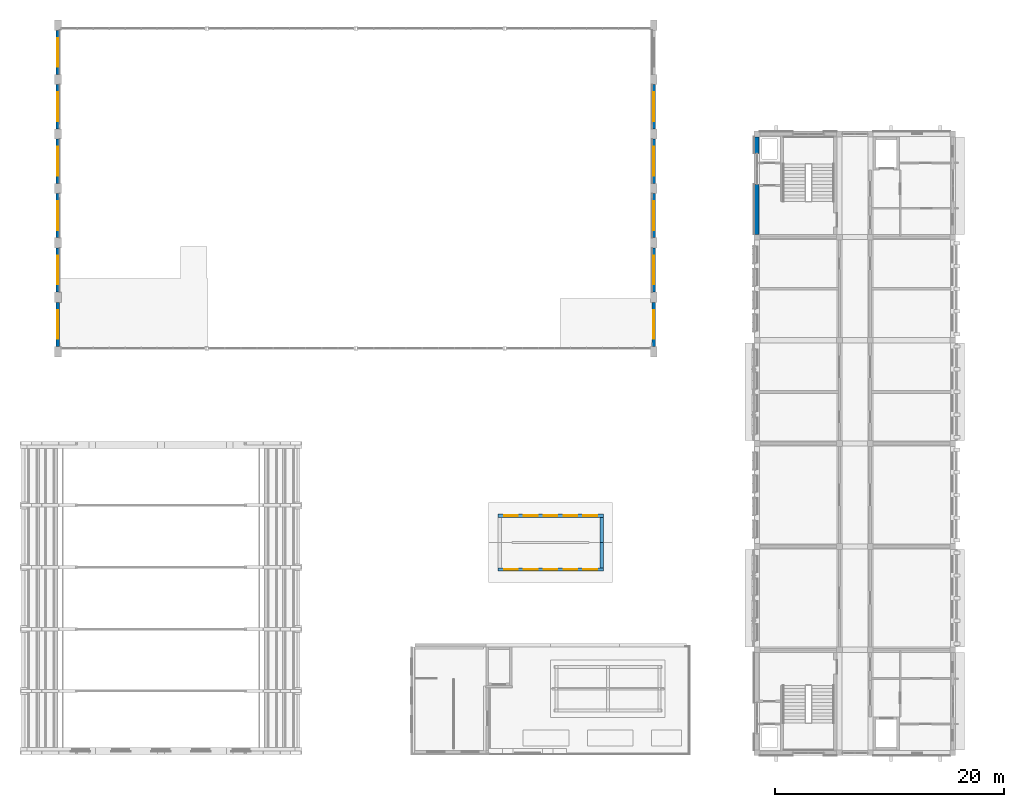
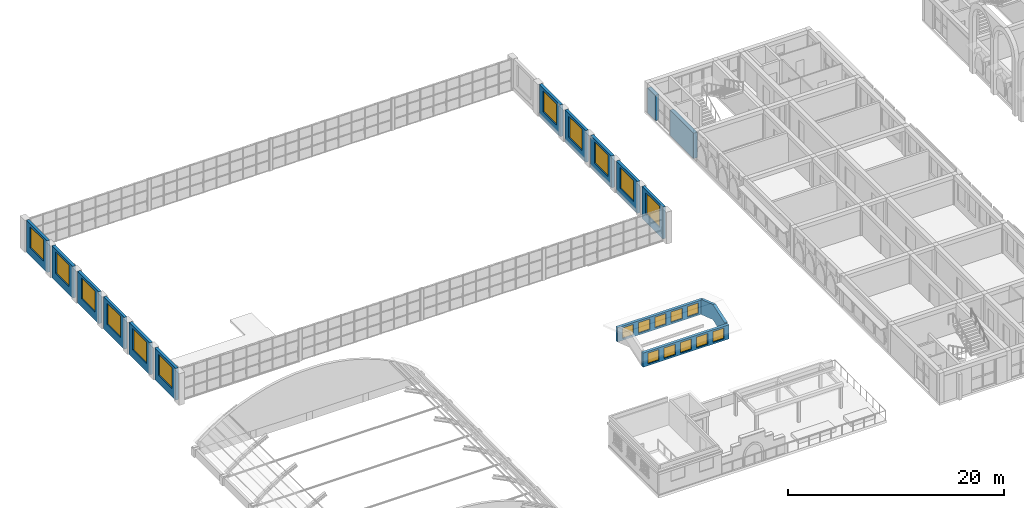
# One storey, part 34 of 70: 21 windows, 16 walls, 21 openings.
"""IFC4 building model written with IfcOpenShell, lengths in metres."""

from ifc_helpers import new_model, si_unit, direction, frame, frame_2d, origin, place, context, subcontext, project, spatial, polyline, rectangle, outline, extrude, material, layer, layer_set, material_profile, profile_set, type_object, element, fill, save


model = new_model("IFC4")

# Units and contexts
model_context = context("Model", 3, precision=1e-05, world=origin(), true_north=direction((0.0, 1.0)))
body_context = subcontext(model_context, "Body", "Model", "MODEL_VIEW")
ifc_project = project(units=[si_unit("LENGTHUNIT", "METRE"), si_unit("AREAUNIT", "SQUARE_METRE"), si_unit("VOLUMEUNIT", "CUBIC_METRE"), si_unit("PLANEANGLEUNIT", "RADIAN"), si_unit("MASSUNIT", "GRAM", prefix="KILO")], contexts=[model_context])

# Site, building, storey
site_placement = place(None, origin())
site = spatial("IfcSite", under=ifc_project, at=site_placement, CompositionType="ELEMENT")
building_placement = place(site_placement, origin())
building = spatial("IfcBuilding", under=site, at=building_placement, Name="Elbe Cascade School", CompositionType="ELEMENT")
storey_placement = place(building_placement, frame((0.0, 0.0, 8.10009765625)))
storey = spatial("IfcBuildingStorey", under=building, at=storey_placement, Name="L02", CompositionType="ELEMENT", Elevation=8.10009765625)

# Walls
ifc_material_1 = material(Name="Brick masonry - red clinker, solid, sandstone-faced", Category="masonry")
ifc_layer_1 = layer(ifc_material_1, 0.39990234375)
ifc_layer_set_1 = layer_set([ifc_layer_1], Name="Brick masonry - red clinker, solid, sandstone-faced")
wall_type_1 = type_object("IfcWallType", Name="Bars envelope External wall - solid masonry core strip, sandstone faced, 400", PredefinedType="STANDARD", material=ifc_layer_set_1)
wall_1_placement = place(storey_placement, frame((68.97998046875, 51.25, 0.0), z_axis=(0.0, 0.0, 1.0), x_axis=(0.0, 1.0, 0.0)))
element("IfcWall", 1, at=wall_1_placement, inside=storey, type_object=wall_type_1, Name="External wall W31 A.L02.w6a", PredefinedType="STANDARD", context=body_context, shape_type="SweptSolid", body=[
    extrude(rectangle(XDim=4.360107421875, YDim=0.39990234375, at=frame_2d((2.18017578125, 0.0))), origin(), (0.0, 0.0, 1.0), 2.849853515625),
])
wall_2_placement = place(storey_placement, frame((68.97998046875, 58.31005859375, 0.0), z_axis=(0.0, 0.0, 1.0), x_axis=(0.0, 1.0, 0.0)))
element("IfcWall", 2, at=wall_2_placement, inside=storey, type_object=wall_type_1, Name="External wall W31 A.L02.w6b", PredefinedType="STANDARD", context=body_context, shape_type="SweptSolid", body=[
    extrude(rectangle(XDim=1.43994140625, YDim=0.39990234375, at=frame_2d((0.719970703125, 0.0))), origin(), (0.0, 0.0, 1.0), 2.849853515625),
])
ifc_material_2 = material(Name="Brick masonry - red clinker", Category="masonry")
ifc_material_profile = material_profile(ifc_material_2, outline(polyline([(-2.199951171875, 10.21826171875), (0.0, 10.96826171875), (2.199951171875, 10.21826171875), (2.199951171875, 11.920654296875), (0.0, 12.670654296875), (-2.199951171875, 11.920654296875), (-2.199951171875, 10.21826171875)])), Name="Dining lantern gable face")
ifc_profile_set = profile_set([ifc_material_profile], Name="Brick masonry - red clinker")
wall_type_2 = type_object("IfcWallType", Name="Dining lantern end wall 300", PredefinedType="SOLIDWALL", material=ifc_profile_set)
wall_3_placement = place(storey_placement, frame((55.300048828125, 24.35009765625, -8.10009765625), z_axis=(1.0, 0.0, 0.0), x_axis=(0.0, 1.0, 0.0)))
element("IfcWall", 3, at=wall_3_placement, inside=storey, type_object=wall_type_2, Name="Dining clerestory gable", PredefinedType="SOLIDWALL", context=body_context, shape_type="SweptSolid", body=[
    extrude(outline(polyline([(-2.199951171875, 10.21826171875), (0.0, 10.96826171875), (2.199951171875, 10.21826171875), (2.199951171875, 11.920654296875), (0.0, 12.670654296875), (-2.199951171875, 11.920654296875), (-2.199951171875, 10.21826171875)])), origin(), (0.0, 0.0, 1.0), 0.300048828125),
])

# Wall, openings, windows
ifc_material_3 = material(Name="Brick masonry - red clinker", Category="masonry")
ifc_layer_2 = layer(ifc_material_3, 0.300048828125)
ifc_layer_set_2 = layer_set([ifc_layer_2], Name="Brick masonry - red clinker")
wall_type_3 = type_object("IfcWallType", Name="Dining lantern wall 300", PredefinedType="SOLIDWALL", material=ifc_layer_set_2)
wall_4_placement = place(storey_placement, frame((55.60009765625, 22.0, 2.1181640625), z_axis=(0.0, 0.0, 1.0), x_axis=(-1.0, 0.0, 0.0)))
wall_4 = element("IfcWall", 4, at=wall_4_placement, inside=storey, type_object=wall_type_3, Name="Dining lantern wall 300 W14", PredefinedType="SOLIDWALL", context=body_context, shape_type="SweptSolid", body=[
    extrude(rectangle(XDim=9.2001953125, YDim=0.300048828125, at=frame_2d((4.60009765625, 0.0))), origin(), (0.0, 0.0, 1.0), 1.60009765625),
])
opening_1_placement = place(wall_4_placement, frame((7.466796875, 0.0, 0.199951171875)))
opening_1 = element("IfcOpeningElement", 5, at=opening_1_placement, cuts=wall_4, Name="Opening W2.142", PredefinedType="OPENING", context=body_context, shape_type="SweptSolid", body=[
    extrude(rectangle(XDim=1.199951171875, YDim=1.199951171875, at=frame_2d((0.60009765625, 0.60009765625))), frame((0.0, 0.159912109375, 0.0), z_axis=(0.0, -1.0, 0.0), x_axis=(1.0, 0.0, 0.0)), (0.0, 0.0, 1.0), 0.320068359375),
])
opening_2_placement = place(wall_4_placement, frame((5.7333984375, 0.0, 0.199951171875)))
opening_2 = element("IfcOpeningElement", 6, at=opening_2_placement, cuts=wall_4, Name="Opening W2.143", PredefinedType="OPENING", context=body_context, shape_type="SweptSolid", body=[
    extrude(rectangle(XDim=1.199951171875, YDim=1.199951171875, at=frame_2d((0.60009765625, 0.60009765625))), frame((0.0, 0.159912109375, 0.0), z_axis=(0.0, -1.0, 0.0), x_axis=(1.0, 0.0, 0.0)), (0.0, 0.0, 1.0), 0.320068359375),
])
opening_3_placement = place(wall_4_placement, frame((4.0, 0.0, 0.199951171875)))
opening_3 = element("IfcOpeningElement", 7, at=opening_3_placement, cuts=wall_4, Name="Opening W2.144", PredefinedType="OPENING", context=body_context, shape_type="SweptSolid", body=[
    extrude(rectangle(XDim=1.199951171875, YDim=1.199951171875, at=frame_2d((0.60009765625, 0.60009765625))), frame((0.0, 0.159912109375, 0.0), z_axis=(0.0, -1.0, 0.0), x_axis=(1.0, 0.0, 0.0)), (0.0, 0.0, 1.0), 0.320068359375),
])
opening_4_placement = place(wall_4_placement, frame((2.2666015625, 0.0, 0.199951171875)))
opening_4 = element("IfcOpeningElement", 8, at=opening_4_placement, cuts=wall_4, Name="Opening W2.145", PredefinedType="OPENING", context=body_context, shape_type="SweptSolid", body=[
    extrude(rectangle(XDim=1.199951171875, YDim=1.199951171875, at=frame_2d((0.60009765625, 0.60009765625))), frame((0.0, 0.159912109375, 0.0), z_axis=(0.0, -1.0, 0.0), x_axis=(1.0, 0.0, 0.0)), (0.0, 0.0, 1.0), 0.320068359375),
])
opening_5_placement = place(wall_4_placement, frame((0.533203125, 0.0, 0.199951171875)))
opening_5 = element("IfcOpeningElement", 9, at=opening_5_placement, cuts=wall_4, Name="Opening W2.146", PredefinedType="OPENING", context=body_context, shape_type="SweptSolid", body=[
    extrude(rectangle(XDim=1.199951171875, YDim=1.199951171875, at=frame_2d((0.60009765625, 0.60009765625))), frame((0.0, 0.159912109375, 0.0), z_axis=(0.0, -1.0, 0.0), x_axis=(1.0, 0.0, 0.0)), (0.0, 0.0, 1.0), 0.320068359375),
])
ifc_material_4 = material(Name="Aluminium - bronze anodised", Category="aluminium")
window_type_1 = type_object("IfcWindowType", Name="Dining lantern window 1200x1200 sill 200", PartitioningType="SINGLE_PANEL", PredefinedType="WINDOW", material=ifc_material_4)
window_1_placement = place(opening_1_placement, origin())
window_1 = element("IfcWindow", 10, at=window_1_placement, inside=storey, type_object=window_type_1, Name="Dining lantern window 1200x1200 sill 200 W2.142", OverallHeight=1.199951171875, OverallWidth=1.199951171875, PartitioningType="SINGLE_PANEL", PredefinedType="WINDOW", context=body_context, shape_type="SweptSolid", body=[
    extrude(rectangle(XDim=1.199951171875, YDim=1.199951171875, at=frame_2d((0.60009765625, 0.60009765625))), frame((0.0, 0.030029296875, 0.0), z_axis=(0.0, -1.0, 0.0), x_axis=(1.0, 0.0, 0.0)), (0.0, 0.0, 1.0), 0.06005859375),
])
fill(opening_1, window_1)
window_2_placement = place(opening_2_placement, origin())
window_2 = element("IfcWindow", 11, at=window_2_placement, inside=storey, type_object=window_type_1, Name="Dining lantern window 1200x1200 sill 200 W2.143", OverallHeight=1.199951171875, OverallWidth=1.199951171875, PartitioningType="SINGLE_PANEL", PredefinedType="WINDOW", context=body_context, shape_type="SweptSolid", body=[
    extrude(rectangle(XDim=1.199951171875, YDim=1.199951171875, at=frame_2d((0.60009765625, 0.60009765625))), frame((0.0, 0.030029296875, 0.0), z_axis=(0.0, -1.0, 0.0), x_axis=(1.0, 0.0, 0.0)), (0.0, 0.0, 1.0), 0.06005859375),
])
fill(opening_2, window_2)
window_3_placement = place(opening_3_placement, origin())
window_3 = element("IfcWindow", 12, at=window_3_placement, inside=storey, type_object=window_type_1, Name="Dining lantern window 1200x1200 sill 200 W2.144", OverallHeight=1.199951171875, OverallWidth=1.199951171875, PartitioningType="SINGLE_PANEL", PredefinedType="WINDOW", context=body_context, shape_type="SweptSolid", body=[
    extrude(rectangle(XDim=1.199951171875, YDim=1.199951171875, at=frame_2d((0.60009765625, 0.60009765625))), frame((0.0, 0.030029296875, 0.0), z_axis=(0.0, -1.0, 0.0), x_axis=(1.0, 0.0, 0.0)), (0.0, 0.0, 1.0), 0.06005859375),
])
fill(opening_3, window_3)
window_4_placement = place(opening_4_placement, origin())
window_4 = element("IfcWindow", 13, at=window_4_placement, inside=storey, type_object=window_type_1, Name="Dining lantern window 1200x1200 sill 200 W2.145", OverallHeight=1.199951171875, OverallWidth=1.199951171875, PartitioningType="SINGLE_PANEL", PredefinedType="WINDOW", context=body_context, shape_type="SweptSolid", body=[
    extrude(rectangle(XDim=1.199951171875, YDim=1.199951171875, at=frame_2d((0.60009765625, 0.60009765625))), frame((0.0, 0.030029296875, 0.0), z_axis=(0.0, -1.0, 0.0), x_axis=(1.0, 0.0, 0.0)), (0.0, 0.0, 1.0), 0.06005859375),
])
fill(opening_4, window_4)
window_5_placement = place(opening_5_placement, origin())
window_5 = element("IfcWindow", 14, at=window_5_placement, inside=storey, type_object=window_type_1, Name="Dining lantern window 1200x1200 sill 200 W2.146", OverallHeight=1.199951171875, OverallWidth=1.199951171875, PartitioningType="SINGLE_PANEL", PredefinedType="WINDOW", context=body_context, shape_type="SweptSolid", body=[
    extrude(rectangle(XDim=1.199951171875, YDim=1.199951171875, at=frame_2d((0.60009765625, 0.60009765625))), frame((0.0, 0.030029296875, 0.0), z_axis=(0.0, -1.0, 0.0), x_axis=(1.0, 0.0, 0.0)), (0.0, 0.0, 1.0), 0.06005859375),
])
fill(opening_5, window_5)

wall_5_placement = place(storey_placement, frame((46.39990234375, 26.699951171875, 2.1181640625), z_axis=(0.0, 0.0, 1.0), x_axis=(1.0, 0.0, 0.0)))
wall_5 = element("IfcWall", 15, at=wall_5_placement, inside=storey, type_object=wall_type_3, Name="Dining lantern wall 300 W14", PredefinedType="SOLIDWALL", context=body_context, shape_type="SweptSolid", body=[
    extrude(rectangle(XDim=9.2001953125, YDim=0.300048828125, at=frame_2d((4.60009765625, 0.0))), origin(), (0.0, 0.0, 1.0), 1.60009765625),
])
opening_6_placement = place(wall_5_placement, frame((0.533203125, 0.0, 0.199951171875)))
opening_6 = element("IfcOpeningElement", 16, at=opening_6_placement, cuts=wall_5, Name="Opening W2.147", PredefinedType="OPENING", context=body_context, shape_type="SweptSolid", body=[
    extrude(rectangle(XDim=1.199951171875, YDim=1.199951171875, at=frame_2d((0.60009765625, 0.60009765625))), frame((0.0, 0.159912109375, 0.0), z_axis=(0.0, -1.0, 0.0), x_axis=(1.0, 0.0, 0.0)), (0.0, 0.0, 1.0), 0.320068359375),
])
opening_7_placement = place(wall_5_placement, frame((2.2666015625, 0.0, 0.199951171875)))
opening_7 = element("IfcOpeningElement", 17, at=opening_7_placement, cuts=wall_5, Name="Opening W2.148", PredefinedType="OPENING", context=body_context, shape_type="SweptSolid", body=[
    extrude(rectangle(XDim=1.199951171875, YDim=1.199951171875, at=frame_2d((0.60009765625, 0.60009765625))), frame((0.0, 0.159912109375, 0.0), z_axis=(0.0, -1.0, 0.0), x_axis=(1.0, 0.0, 0.0)), (0.0, 0.0, 1.0), 0.320068359375),
])
opening_8_placement = place(wall_5_placement, frame((4.0, 0.0, 0.199951171875)))
opening_8 = element("IfcOpeningElement", 18, at=opening_8_placement, cuts=wall_5, Name="Opening W2.149", PredefinedType="OPENING", context=body_context, shape_type="SweptSolid", body=[
    extrude(rectangle(XDim=1.199951171875, YDim=1.199951171875, at=frame_2d((0.60009765625, 0.60009765625))), frame((0.0, 0.159912109375, 0.0), z_axis=(0.0, -1.0, 0.0), x_axis=(1.0, 0.0, 0.0)), (0.0, 0.0, 1.0), 0.320068359375),
])
opening_9_placement = place(wall_5_placement, frame((5.7333984375, 0.0, 0.199951171875)))
opening_9 = element("IfcOpeningElement", 19, at=opening_9_placement, cuts=wall_5, Name="Opening W2.150", PredefinedType="OPENING", context=body_context, shape_type="SweptSolid", body=[
    extrude(rectangle(XDim=1.199951171875, YDim=1.199951171875, at=frame_2d((0.60009765625, 0.60009765625))), frame((0.0, 0.159912109375, 0.0), z_axis=(0.0, -1.0, 0.0), x_axis=(1.0, 0.0, 0.0)), (0.0, 0.0, 1.0), 0.320068359375),
])
opening_10_placement = place(wall_5_placement, frame((7.466796875, 0.0, 0.199951171875)))
opening_10 = element("IfcOpeningElement", 20, at=opening_10_placement, cuts=wall_5, Name="Opening W2.151", PredefinedType="OPENING", context=body_context, shape_type="SweptSolid", body=[
    extrude(rectangle(XDim=1.199951171875, YDim=1.199951171875, at=frame_2d((0.60009765625, 0.60009765625))), frame((0.0, 0.159912109375, 0.0), z_axis=(0.0, -1.0, 0.0), x_axis=(1.0, 0.0, 0.0)), (0.0, 0.0, 1.0), 0.320068359375),
])
window_6_placement = place(opening_6_placement, origin())
window_6 = element("IfcWindow", 21, at=window_6_placement, inside=storey, type_object=window_type_1, Name="Dining lantern window 1200x1200 sill 200 W2.147", OverallHeight=1.199951171875, OverallWidth=1.199951171875, PartitioningType="SINGLE_PANEL", PredefinedType="WINDOW", context=body_context, shape_type="SweptSolid", body=[
    extrude(rectangle(XDim=1.199951171875, YDim=1.199951171875, at=frame_2d((0.60009765625, 0.60009765625))), frame((0.0, 0.030029296875, 0.0), z_axis=(0.0, -1.0, 0.0), x_axis=(1.0, 0.0, 0.0)), (0.0, 0.0, 1.0), 0.06005859375),
])
fill(opening_6, window_6)
window_7_placement = place(opening_7_placement, origin())
window_7 = element("IfcWindow", 22, at=window_7_placement, inside=storey, type_object=window_type_1, Name="Dining lantern window 1200x1200 sill 200 W2.148", OverallHeight=1.199951171875, OverallWidth=1.199951171875, PartitioningType="SINGLE_PANEL", PredefinedType="WINDOW", context=body_context, shape_type="SweptSolid", body=[
    extrude(rectangle(XDim=1.199951171875, YDim=1.199951171875, at=frame_2d((0.60009765625, 0.60009765625))), frame((0.0, 0.030029296875, 0.0), z_axis=(0.0, -1.0, 0.0), x_axis=(1.0, 0.0, 0.0)), (0.0, 0.0, 1.0), 0.06005859375),
])
fill(opening_7, window_7)
window_8_placement = place(opening_8_placement, origin())
window_8 = element("IfcWindow", 23, at=window_8_placement, inside=storey, type_object=window_type_1, Name="Dining lantern window 1200x1200 sill 200 W2.149", OverallHeight=1.199951171875, OverallWidth=1.199951171875, PartitioningType="SINGLE_PANEL", PredefinedType="WINDOW", context=body_context, shape_type="SweptSolid", body=[
    extrude(rectangle(XDim=1.199951171875, YDim=1.199951171875, at=frame_2d((0.60009765625, 0.60009765625))), frame((0.0, 0.030029296875, 0.0), z_axis=(0.0, -1.0, 0.0), x_axis=(1.0, 0.0, 0.0)), (0.0, 0.0, 1.0), 0.06005859375),
])
fill(opening_8, window_8)
window_9_placement = place(opening_9_placement, origin())
window_9 = element("IfcWindow", 24, at=window_9_placement, inside=storey, type_object=window_type_1, Name="Dining lantern window 1200x1200 sill 200 W2.150", OverallHeight=1.199951171875, OverallWidth=1.199951171875, PartitioningType="SINGLE_PANEL", PredefinedType="WINDOW", context=body_context, shape_type="SweptSolid", body=[
    extrude(rectangle(XDim=1.199951171875, YDim=1.199951171875, at=frame_2d((0.60009765625, 0.60009765625))), frame((0.0, 0.030029296875, 0.0), z_axis=(0.0, -1.0, 0.0), x_axis=(1.0, 0.0, 0.0)), (0.0, 0.0, 1.0), 0.06005859375),
])
fill(opening_9, window_9)
window_10_placement = place(opening_10_placement, origin())
window_10 = element("IfcWindow", 25, at=window_10_placement, inside=storey, type_object=window_type_1, Name="Dining lantern window 1200x1200 sill 200 W2.151", OverallHeight=1.199951171875, OverallWidth=1.199951171875, PartitioningType="SINGLE_PANEL", PredefinedType="WINDOW", context=body_context, shape_type="SweptSolid", body=[
    extrude(rectangle(XDim=1.199951171875, YDim=1.199951171875, at=frame_2d((0.60009765625, 0.60009765625))), frame((0.0, 0.030029296875, 0.0), z_axis=(0.0, -1.0, 0.0), x_axis=(1.0, 0.0, 0.0)), (0.0, 0.0, 1.0), 0.06005859375),
])
fill(opening_10, window_10)

# Wall, opening, window
ifc_material_5 = material(Name="Concrete C30/37 wall", Category="concrete")
ifc_layer_3 = layer(ifc_material_5, 0.300048828125)
ifc_layer_set_3 = layer_set([ifc_layer_3], Name="Concrete C30/37 wall")
wall_type_4 = type_object("IfcWallType", Name="Hall wall Concrete C30/37 300", PredefinedType="SOLIDWALL", material=ifc_layer_set_3)
wall_6_placement = place(storey_placement, frame((8.0, 41.449951171875, 0.0), z_axis=(0.0, 0.0, 1.0), x_axis=(0.0, 1.0, 0.0)))
wall_6 = element("IfcWall", 26, at=wall_6_placement, inside=storey, type_object=wall_type_4, Name="Hall wall W1", PredefinedType="SOLIDWALL", context=body_context, shape_type="SweptSolid", body=[
    extrude(rectangle(XDim=3.85009765625, YDim=0.300048828125, at=frame_2d((1.925048828125, 0.0))), origin(), (0.0, 0.0, 1.0), 3.599853515625),
])
opening_11_placement = place(wall_6_placement, frame((0.675048828125, 0.0, 0.89990234375)))
opening_11 = element("IfcOpeningElement", 27, at=opening_11_placement, cuts=wall_6, Name="Opening W2.123", PredefinedType="OPENING", context=body_context, shape_type="SweptSolid", body=[
    extrude(rectangle(XDim=2.5, YDim=2.39990234375, at=frame_2d((1.25, 1.199951171875))), frame((0.0, 0.159912109375, 0.0), z_axis=(0.0, -1.0, 0.0), x_axis=(1.0, 0.0, 0.0)), (0.0, 0.0, 1.0), 0.320068359375),
])
ifc_material_6 = material(Name="Glass - double glazed low-E", Category="glass")
window_type_2 = type_object("IfcWindowType", Name="Hall clerestory window 2500x2400", PartitioningType="SINGLE_PANEL", PredefinedType="WINDOW", material=ifc_material_6)
window_11_placement = place(opening_11_placement, origin())
window_11 = element("IfcWindow", 28, at=window_11_placement, inside=storey, type_object=window_type_2, Name="Clerestory window W1", OverallHeight=2.39990234375, OverallWidth=2.5, PartitioningType="SINGLE_PANEL", PredefinedType="WINDOW", context=body_context, shape_type="SweptSolid", body=[
    extrude(rectangle(XDim=2.5, YDim=2.39990234375, at=frame_2d((1.25, 1.199951171875))), frame((0.0, 0.030029296875, 0.0), z_axis=(0.0, -1.0, 0.0), x_axis=(1.0, 0.0, 0.0)), (0.0, 0.0, 1.0), 0.06005859375),
])
fill(opening_11, window_11)

wall_7_placement = place(storey_placement, frame((8.0, 46.199951171875, 0.0), z_axis=(0.0, 0.0, 1.0), x_axis=(0.0, 1.0, 0.0)))
wall_7 = element("IfcWall", 29, at=wall_7_placement, inside=storey, type_object=wall_type_4, Name="Hall wall W2", PredefinedType="SOLIDWALL", context=body_context, shape_type="SweptSolid", body=[
    extrude(rectangle(XDim=3.85009765625, YDim=0.300048828125, at=frame_2d((1.925048828125, 0.0))), origin(), (0.0, 0.0, 1.0), 3.599853515625),
])
opening_12_placement = place(wall_7_placement, frame((0.675048828125, 0.0, 0.89990234375)))
opening_12 = element("IfcOpeningElement", 30, at=opening_12_placement, cuts=wall_7, Name="Opening W2.125", PredefinedType="OPENING", context=body_context, shape_type="SweptSolid", body=[
    extrude(rectangle(XDim=2.5, YDim=2.39990234375, at=frame_2d((1.25, 1.199951171875))), frame((0.0, 0.159912109375, 0.0), z_axis=(0.0, -1.0, 0.0), x_axis=(1.0, 0.0, 0.0)), (0.0, 0.0, 1.0), 0.320068359375),
])
window_12_placement = place(opening_12_placement, origin())
window_12 = element("IfcWindow", 31, at=window_12_placement, inside=storey, type_object=window_type_2, Name="Clerestory window W2", OverallHeight=2.39990234375, OverallWidth=2.5, PartitioningType="SINGLE_PANEL", PredefinedType="WINDOW", context=body_context, shape_type="SweptSolid", body=[
    extrude(rectangle(XDim=2.5, YDim=2.39990234375, at=frame_2d((1.25, 1.199951171875))), frame((0.0, 0.030029296875, 0.0), z_axis=(0.0, -1.0, 0.0), x_axis=(1.0, 0.0, 0.0)), (0.0, 0.0, 1.0), 0.06005859375),
])
fill(opening_12, window_12)

wall_8_placement = place(storey_placement, frame((8.0, 50.949951171875, 0.0), z_axis=(0.0, 0.0, 1.0), x_axis=(0.0, 1.0, 0.0)))
wall_8 = element("IfcWall", 32, at=wall_8_placement, inside=storey, type_object=wall_type_4, Name="Hall wall W3", PredefinedType="SOLIDWALL", context=body_context, shape_type="SweptSolid", body=[
    extrude(rectangle(XDim=3.85009765625, YDim=0.300048828125, at=frame_2d((1.925048828125, 0.0))), origin(), (0.0, 0.0, 1.0), 3.599853515625),
])
opening_13_placement = place(wall_8_placement, frame((0.675048828125, 0.0, 0.89990234375)))
opening_13 = element("IfcOpeningElement", 33, at=opening_13_placement, cuts=wall_8, Name="Opening W2.127", PredefinedType="OPENING", context=body_context, shape_type="SweptSolid", body=[
    extrude(rectangle(XDim=2.5, YDim=2.39990234375, at=frame_2d((1.25, 1.199951171875))), frame((0.0, 0.159912109375, 0.0), z_axis=(0.0, -1.0, 0.0), x_axis=(1.0, 0.0, 0.0)), (0.0, 0.0, 1.0), 0.320068359375),
])
window_13_placement = place(opening_13_placement, origin())
window_13 = element("IfcWindow", 34, at=window_13_placement, inside=storey, type_object=window_type_2, Name="Clerestory window W3", OverallHeight=2.39990234375, OverallWidth=2.5, PartitioningType="SINGLE_PANEL", PredefinedType="WINDOW", context=body_context, shape_type="SweptSolid", body=[
    extrude(rectangle(XDim=2.5, YDim=2.39990234375, at=frame_2d((1.25, 1.199951171875))), frame((0.0, 0.030029296875, 0.0), z_axis=(0.0, -1.0, 0.0), x_axis=(1.0, 0.0, 0.0)), (0.0, 0.0, 1.0), 0.06005859375),
])
fill(opening_13, window_13)

wall_9_placement = place(storey_placement, frame((8.0, 55.699951171875, 0.0), z_axis=(0.0, 0.0, 1.0), x_axis=(0.0, 1.0, 0.0)))
wall_9 = element("IfcWall", 35, at=wall_9_placement, inside=storey, type_object=wall_type_4, Name="Hall wall W4", PredefinedType="SOLIDWALL", context=body_context, shape_type="SweptSolid", body=[
    extrude(rectangle(XDim=3.85009765625, YDim=0.300048828125, at=frame_2d((1.925048828125, 0.0))), origin(), (0.0, 0.0, 1.0), 3.599853515625),
])
opening_14_placement = place(wall_9_placement, frame((0.675048828125, 0.0, 0.89990234375)))
opening_14 = element("IfcOpeningElement", 36, at=opening_14_placement, cuts=wall_9, Name="Opening W2.129", PredefinedType="OPENING", context=body_context, shape_type="SweptSolid", body=[
    extrude(rectangle(XDim=2.5, YDim=2.39990234375, at=frame_2d((1.25, 1.199951171875))), frame((0.0, 0.159912109375, 0.0), z_axis=(0.0, -1.0, 0.0), x_axis=(1.0, 0.0, 0.0)), (0.0, 0.0, 1.0), 0.320068359375),
])
window_14_placement = place(opening_14_placement, origin())
window_14 = element("IfcWindow", 37, at=window_14_placement, inside=storey, type_object=window_type_2, Name="Clerestory window W4", OverallHeight=2.39990234375, OverallWidth=2.5, PartitioningType="SINGLE_PANEL", PredefinedType="WINDOW", context=body_context, shape_type="SweptSolid", body=[
    extrude(rectangle(XDim=2.5, YDim=2.39990234375, at=frame_2d((1.25, 1.199951171875))), frame((0.0, 0.030029296875, 0.0), z_axis=(0.0, -1.0, 0.0), x_axis=(1.0, 0.0, 0.0)), (0.0, 0.0, 1.0), 0.06005859375),
])
fill(opening_14, window_14)

wall_10_placement = place(storey_placement, frame((8.0, 60.449951171875, 0.0), z_axis=(0.0, 0.0, 1.0), x_axis=(0.0, 1.0, 0.0)))
wall_10 = element("IfcWall", 38, at=wall_10_placement, inside=storey, type_object=wall_type_4, Name="Hall wall W5", PredefinedType="SOLIDWALL", context=body_context, shape_type="SweptSolid", body=[
    extrude(rectangle(XDim=3.85009765625, YDim=0.300048828125, at=frame_2d((1.925048828125, 0.0))), origin(), (0.0, 0.0, 1.0), 3.599853515625),
])
opening_15_placement = place(wall_10_placement, frame((0.675048828125, 0.0, 0.89990234375)))
opening_15 = element("IfcOpeningElement", 39, at=opening_15_placement, cuts=wall_10, Name="Opening W2.131", PredefinedType="OPENING", context=body_context, shape_type="SweptSolid", body=[
    extrude(rectangle(XDim=2.5, YDim=2.39990234375, at=frame_2d((1.25, 1.199951171875))), frame((0.0, 0.159912109375, 0.0), z_axis=(0.0, -1.0, 0.0), x_axis=(1.0, 0.0, 0.0)), (0.0, 0.0, 1.0), 0.320068359375),
])
window_15_placement = place(opening_15_placement, origin())
window_15 = element("IfcWindow", 40, at=window_15_placement, inside=storey, type_object=window_type_2, Name="Clerestory window W5", OverallHeight=2.39990234375, OverallWidth=2.5, PartitioningType="SINGLE_PANEL", PredefinedType="WINDOW", context=body_context, shape_type="SweptSolid", body=[
    extrude(rectangle(XDim=2.5, YDim=2.39990234375, at=frame_2d((1.25, 1.199951171875))), frame((0.0, 0.030029296875, 0.0), z_axis=(0.0, -1.0, 0.0), x_axis=(1.0, 0.0, 0.0)), (0.0, 0.0, 1.0), 0.06005859375),
])
fill(opening_15, window_15)

wall_11_placement = place(storey_placement, frame((8.0, 65.199951171875, 0.0), z_axis=(0.0, 0.0, 1.0), x_axis=(0.0, 1.0, 0.0)))
wall_11 = element("IfcWall", 41, at=wall_11_placement, inside=storey, type_object=wall_type_4, Name="Hall wall W6", PredefinedType="SOLIDWALL", context=body_context, shape_type="SweptSolid", body=[
    extrude(rectangle(XDim=3.85009765625, YDim=0.300048828125, at=frame_2d((1.925048828125, 0.0))), origin(), (0.0, 0.0, 1.0), 3.599853515625),
])
opening_16_placement = place(wall_11_placement, frame((0.675048828125, 0.0, 0.89990234375)))
opening_16 = element("IfcOpeningElement", 42, at=opening_16_placement, cuts=wall_11, Name="Opening W2.133", PredefinedType="OPENING", context=body_context, shape_type="SweptSolid", body=[
    extrude(rectangle(XDim=2.5, YDim=2.39990234375, at=frame_2d((1.25, 1.199951171875))), frame((0.0, 0.159912109375, 0.0), z_axis=(0.0, -1.0, 0.0), x_axis=(1.0, 0.0, 0.0)), (0.0, 0.0, 1.0), 0.320068359375),
])
window_16_placement = place(opening_16_placement, origin())
window_16 = element("IfcWindow", 43, at=window_16_placement, inside=storey, type_object=window_type_2, Name="Clerestory window W6", OverallHeight=2.39990234375, OverallWidth=2.5, PartitioningType="SINGLE_PANEL", PredefinedType="WINDOW", context=body_context, shape_type="SweptSolid", body=[
    extrude(rectangle(XDim=2.5, YDim=2.39990234375, at=frame_2d((1.25, 1.199951171875))), frame((0.0, 0.030029296875, 0.0), z_axis=(0.0, -1.0, 0.0), x_axis=(1.0, 0.0, 0.0)), (0.0, 0.0, 1.0), 0.06005859375),
])
fill(opening_16, window_16)

wall_12_placement = place(storey_placement, frame((60.0, 41.449951171875, 0.0), z_axis=(0.0, 0.0, 1.0), x_axis=(0.0, 1.0, 0.0)))
wall_12 = element("IfcWall", 44, at=wall_12_placement, inside=storey, type_object=wall_type_4, Name="Hall wall E1", PredefinedType="SOLIDWALL", context=body_context, shape_type="SweptSolid", body=[
    extrude(rectangle(XDim=3.85009765625, YDim=0.300048828125, at=frame_2d((1.925048828125, 0.0))), origin(), (0.0, 0.0, 1.0), 3.599853515625),
])
opening_17_placement = place(wall_12_placement, frame((0.675048828125, 0.0, 0.89990234375)))
opening_17 = element("IfcOpeningElement", 45, at=opening_17_placement, cuts=wall_12, Name="Opening W2.124", PredefinedType="OPENING", context=body_context, shape_type="SweptSolid", body=[
    extrude(rectangle(XDim=2.5, YDim=2.39990234375, at=frame_2d((1.25, 1.199951171875))), frame((0.0, 0.159912109375, 0.0), z_axis=(0.0, -1.0, 0.0), x_axis=(1.0, 0.0, 0.0)), (0.0, 0.0, 1.0), 0.320068359375),
])
window_17_placement = place(opening_17_placement, origin())
window_17 = element("IfcWindow", 46, at=window_17_placement, inside=storey, type_object=window_type_2, Name="Clerestory window E1", OverallHeight=2.39990234375, OverallWidth=2.5, PartitioningType="SINGLE_PANEL", PredefinedType="WINDOW", context=body_context, shape_type="SweptSolid", body=[
    extrude(rectangle(XDim=2.5, YDim=2.39990234375, at=frame_2d((1.25, 1.199951171875))), frame((0.0, 0.030029296875, 0.0), z_axis=(0.0, -1.0, 0.0), x_axis=(1.0, 0.0, 0.0)), (0.0, 0.0, 1.0), 0.06005859375),
])
fill(opening_17, window_17)

wall_13_placement = place(storey_placement, frame((60.0, 46.199951171875, 0.0), z_axis=(0.0, 0.0, 1.0), x_axis=(0.0, 1.0, 0.0)))
wall_13 = element("IfcWall", 47, at=wall_13_placement, inside=storey, type_object=wall_type_4, Name="Hall wall E2", PredefinedType="SOLIDWALL", context=body_context, shape_type="SweptSolid", body=[
    extrude(rectangle(XDim=3.85009765625, YDim=0.300048828125, at=frame_2d((1.925048828125, 0.0))), origin(), (0.0, 0.0, 1.0), 3.599853515625),
])
opening_18_placement = place(wall_13_placement, frame((0.675048828125, 0.0, 0.89990234375)))
opening_18 = element("IfcOpeningElement", 48, at=opening_18_placement, cuts=wall_13, Name="Opening W2.126", PredefinedType="OPENING", context=body_context, shape_type="SweptSolid", body=[
    extrude(rectangle(XDim=2.5, YDim=2.39990234375, at=frame_2d((1.25, 1.199951171875))), frame((0.0, 0.159912109375, 0.0), z_axis=(0.0, -1.0, 0.0), x_axis=(1.0, 0.0, 0.0)), (0.0, 0.0, 1.0), 0.320068359375),
])
window_18_placement = place(opening_18_placement, origin())
window_18 = element("IfcWindow", 49, at=window_18_placement, inside=storey, type_object=window_type_2, Name="Clerestory window E2", OverallHeight=2.39990234375, OverallWidth=2.5, PartitioningType="SINGLE_PANEL", PredefinedType="WINDOW", context=body_context, shape_type="SweptSolid", body=[
    extrude(rectangle(XDim=2.5, YDim=2.39990234375, at=frame_2d((1.25, 1.199951171875))), frame((0.0, 0.030029296875, 0.0), z_axis=(0.0, -1.0, 0.0), x_axis=(1.0, 0.0, 0.0)), (0.0, 0.0, 1.0), 0.06005859375),
])
fill(opening_18, window_18)

wall_14_placement = place(storey_placement, frame((60.0, 50.949951171875, 0.0), z_axis=(0.0, 0.0, 1.0), x_axis=(0.0, 1.0, 0.0)))
wall_14 = element("IfcWall", 50, at=wall_14_placement, inside=storey, type_object=wall_type_4, Name="Hall wall E3", PredefinedType="SOLIDWALL", context=body_context, shape_type="SweptSolid", body=[
    extrude(rectangle(XDim=3.85009765625, YDim=0.300048828125, at=frame_2d((1.925048828125, 0.0))), origin(), (0.0, 0.0, 1.0), 3.599853515625),
])
opening_19_placement = place(wall_14_placement, frame((0.675048828125, 0.0, 0.89990234375)))
opening_19 = element("IfcOpeningElement", 51, at=opening_19_placement, cuts=wall_14, Name="Opening W2.128", PredefinedType="OPENING", context=body_context, shape_type="SweptSolid", body=[
    extrude(rectangle(XDim=2.5, YDim=2.39990234375, at=frame_2d((1.25, 1.199951171875))), frame((0.0, 0.159912109375, 0.0), z_axis=(0.0, -1.0, 0.0), x_axis=(1.0, 0.0, 0.0)), (0.0, 0.0, 1.0), 0.320068359375),
])
window_19_placement = place(opening_19_placement, origin())
window_19 = element("IfcWindow", 52, at=window_19_placement, inside=storey, type_object=window_type_2, Name="Clerestory window E3", OverallHeight=2.39990234375, OverallWidth=2.5, PartitioningType="SINGLE_PANEL", PredefinedType="WINDOW", context=body_context, shape_type="SweptSolid", body=[
    extrude(rectangle(XDim=2.5, YDim=2.39990234375, at=frame_2d((1.25, 1.199951171875))), frame((0.0, 0.030029296875, 0.0), z_axis=(0.0, -1.0, 0.0), x_axis=(1.0, 0.0, 0.0)), (0.0, 0.0, 1.0), 0.06005859375),
])
fill(opening_19, window_19)

wall_15_placement = place(storey_placement, frame((60.0, 55.699951171875, 0.0), z_axis=(0.0, 0.0, 1.0), x_axis=(0.0, 1.0, 0.0)))
wall_15 = element("IfcWall", 53, at=wall_15_placement, inside=storey, type_object=wall_type_4, Name="Hall wall E4", PredefinedType="SOLIDWALL", context=body_context, shape_type="SweptSolid", body=[
    extrude(rectangle(XDim=3.85009765625, YDim=0.300048828125, at=frame_2d((1.925048828125, 0.0))), origin(), (0.0, 0.0, 1.0), 3.599853515625),
])
opening_20_placement = place(wall_15_placement, frame((0.675048828125, 0.0, 0.89990234375)))
opening_20 = element("IfcOpeningElement", 54, at=opening_20_placement, cuts=wall_15, Name="Opening W2.130", PredefinedType="OPENING", context=body_context, shape_type="SweptSolid", body=[
    extrude(rectangle(XDim=2.5, YDim=2.39990234375, at=frame_2d((1.25, 1.199951171875))), frame((0.0, 0.159912109375, 0.0), z_axis=(0.0, -1.0, 0.0), x_axis=(1.0, 0.0, 0.0)), (0.0, 0.0, 1.0), 0.320068359375),
])
window_20_placement = place(opening_20_placement, origin())
window_20 = element("IfcWindow", 55, at=window_20_placement, inside=storey, type_object=window_type_2, Name="Clerestory window E4", OverallHeight=2.39990234375, OverallWidth=2.5, PartitioningType="SINGLE_PANEL", PredefinedType="WINDOW", context=body_context, shape_type="SweptSolid", body=[
    extrude(rectangle(XDim=2.5, YDim=2.39990234375, at=frame_2d((1.25, 1.199951171875))), frame((0.0, 0.030029296875, 0.0), z_axis=(0.0, -1.0, 0.0), x_axis=(1.0, 0.0, 0.0)), (0.0, 0.0, 1.0), 0.06005859375),
])
fill(opening_20, window_20)

wall_16_placement = place(storey_placement, frame((60.0, 60.449951171875, 0.0), z_axis=(0.0, 0.0, 1.0), x_axis=(0.0, 1.0, 0.0)))
wall_16 = element("IfcWall", 56, at=wall_16_placement, inside=storey, type_object=wall_type_4, Name="Hall wall E5", PredefinedType="SOLIDWALL", context=body_context, shape_type="SweptSolid", body=[
    extrude(rectangle(XDim=3.85009765625, YDim=0.300048828125, at=frame_2d((1.925048828125, 0.0))), origin(), (0.0, 0.0, 1.0), 3.599853515625),
])
opening_21_placement = place(wall_16_placement, frame((0.675048828125, 0.0, 0.89990234375)))
opening_21 = element("IfcOpeningElement", 57, at=opening_21_placement, cuts=wall_16, Name="Opening W2.132", PredefinedType="OPENING", context=body_context, shape_type="SweptSolid", body=[
    extrude(rectangle(XDim=2.5, YDim=2.39990234375, at=frame_2d((1.25, 1.199951171875))), frame((0.0, 0.159912109375, 0.0), z_axis=(0.0, -1.0, 0.0), x_axis=(1.0, 0.0, 0.0)), (0.0, 0.0, 1.0), 0.320068359375),
])
window_21_placement = place(opening_21_placement, origin())
window_21 = element("IfcWindow", 58, at=window_21_placement, inside=storey, type_object=window_type_2, Name="Clerestory window E5", OverallHeight=2.39990234375, OverallWidth=2.5, PartitioningType="SINGLE_PANEL", PredefinedType="WINDOW", context=body_context, shape_type="SweptSolid", body=[
    extrude(rectangle(XDim=2.5, YDim=2.39990234375, at=frame_2d((1.25, 1.199951171875))), frame((0.0, 0.030029296875, 0.0), z_axis=(0.0, -1.0, 0.0), x_axis=(1.0, 0.0, 0.0)), (0.0, 0.0, 1.0), 0.06005859375),
])
fill(opening_21, window_21)

save(model, "model.ifc")
